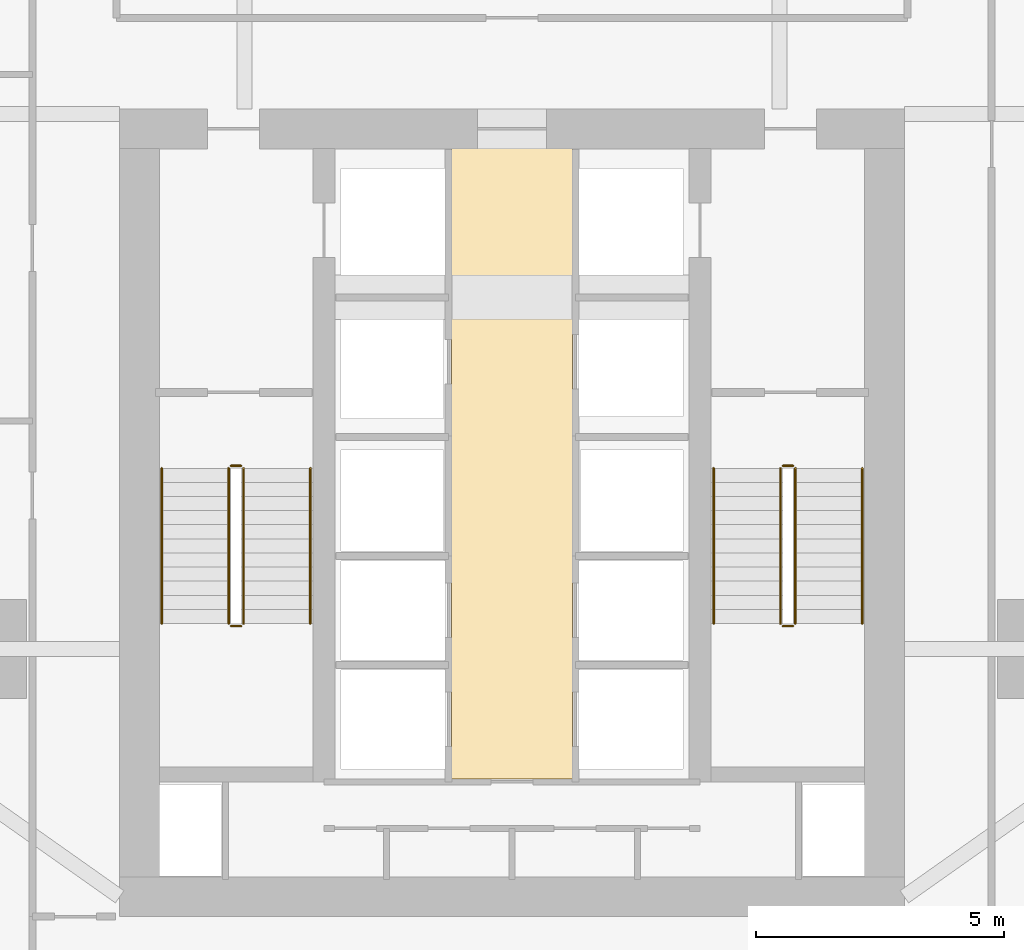
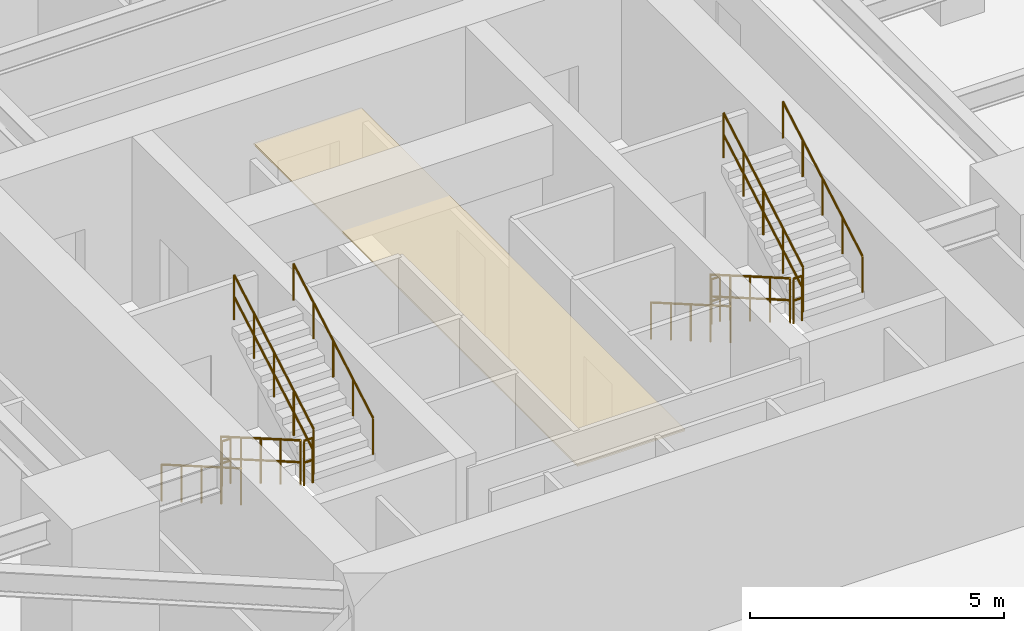
# One storey, part 25 of 26: 12 railings, 1 covering.
"""IFC4 building model written with IfcOpenShell, lengths in metres."""

from ifc_helpers import new_model, si_unit, direction, frame, origin, origin_2d, place, context, subcontext, project, spatial, polyline, circle, outline, extrude, material, layer, layer_set, type_object, element, save


model = new_model("IFC4")

# Units and contexts
model_context = context("Model", 3, precision=1e-05, world=origin(), true_north=direction((0.0, 1.0)))
body_context = subcontext(model_context, "Body", "Model", "MODEL_VIEW")
ifc_project = project(units=[si_unit("LENGTHUNIT", "METRE"), si_unit("AREAUNIT", "SQUARE_METRE"), si_unit("VOLUMEUNIT", "CUBIC_METRE"), si_unit("PLANEANGLEUNIT", "RADIAN"), si_unit("MASSUNIT", "GRAM", prefix="KILO")], contexts=[model_context])

# Site, building, storey
site_placement = place(None, origin())
site = spatial("IfcSite", under=ifc_project, at=site_placement, CompositionType="ELEMENT")
building_placement = place(site_placement, origin())
building = spatial("IfcBuilding", under=site, at=building_placement, Name="Krantzveldt Concourse Tower", CompositionType="ELEMENT")
storey_placement = place(building_placement, frame((0.0, 0.0, 90.050048828125)))
storey = spatial("IfcBuildingStorey", under=building, at=storey_placement, Name="L21", CompositionType="ELEMENT", Elevation=90.050048828125)

# Covering
ifc_material_1 = material(Name="Perforated acoustic mineral-fibre ceiling tile", Category="ceiling")
ifc_layer_1 = layer(ifc_material_1, 0.0400390625, Name="Perforated acoustic mineral-fibre ceiling tile", Category="ceiling")
ifc_layer_set_1 = layer_set([ifc_layer_1], Name="Perforated acoustic mineral-fibre ceiling tile (COV-CEIL-ACOUSTIC)")
covering_type = type_object("IfcCoveringType", Name="COV-CEIL-ACOUSTIC", PredefinedType="CEILING", material=ifc_layer_set_1)
covering_placement = place(storey_placement, frame((0.0, 0.0, 2.75)))
element("IfcCovering", 1, at=covering_placement, inside=storey, type_object=covering_type, Name="CLG-L21-LLB", PredefinedType="CEILING", context=body_context, shape_type="SweptSolid", body=[
    extrude(outline(polyline([(37.22509765625, 13.27490234375), (34.77490234375, 13.27490234375), (34.77490234375, 26.044921875), (37.22509765625, 26.044921875), (37.22509765625, 13.27490234375)])), origin(), (0.0, 0.0, 1.0), 0.0400390625),
])

# Railings
ifc_material_2 = material(Name="Stainless steel 316L", Category="steel")
ifc_layer_2 = layer(ifc_material_2, 0.06005859375, Name="Stainless steel 316L", Category="steel")
ifc_layer_set_2 = layer_set([ifc_layer_2], Name="Stainless steel 316L (RL-GUARD-1120)")
railing_type_1 = type_object("IfcRailingType", Name="RL-GUARD-1120", PredefinedType="GUARDRAIL", material=ifc_layer_set_2)
railing_1_placement = place(storey_placement, frame((30.280029296875, 19.550048828125, 0.16455078125)))
element("IfcRailing", 2, at=railing_1_placement, inside=storey, type_object=railing_type_1, Name="L21 ST-1 stair guard 1", PredefinedType="GUARDRAIL", context=body_context, shape_type="SweptSolid", body=[
    extrude(circle(Radius=0.02392578125, at=origin_2d()), frame((0.0, 0.0, 1.076171875), z_axis=(0.0, -0.865989039225, 0.500062979975), x_axis=(1.0, 0.0, 0.0)), (0.0, 0.0, 1.0), 3.6201171875),
    extrude(circle(Radius=0.02392578125, at=origin_2d()), frame((0.0, 0.0, 0.550048828125), z_axis=(0.0, -0.865989039225, 0.500062979975), x_axis=(1.0, 0.0, 0.0)), (0.0, 0.0, 1.0), 3.6201171875),
    extrude(circle(Radius=0.02099609375, at=origin_2d()), origin(), (0.0, 0.0, 1.0), 1.052001953125),
    extrude(circle(Radius=0.02099609375, at=origin_2d()), frame((0.0, -0.78369140625, 0.45263671875)), (0.0, 0.0, 1.0), 1.052001953125),
    extrude(circle(Radius=0.02099609375, at=origin_2d()), frame((0.0, -1.5673828125, 0.9052734375)), (0.0, 0.0, 1.0), 1.052001953125),
    extrude(circle(Radius=0.02099609375, at=origin_2d()), frame((0.0, -2.351318359375, 1.357666015625)), (0.0, 0.0, 1.0), 1.052001953125),
    extrude(circle(Radius=0.02099609375, at=origin_2d()), frame((0.0, -3.135009765625, 1.810302734375)), (0.0, 0.0, 1.0), 1.052001953125),
])
railing_2_placement = place(storey_placement, frame((30.330078125, 16.364990234375, 1.974853515625)))
element("IfcRailing", 3, at=railing_2_placement, inside=storey, type_object=railing_type_1, Name="L21 ST-1 stair guard 2", PredefinedType="GUARDRAIL", context=body_context, shape_type="SweptSolid", body=[
    extrude(circle(Radius=0.02392578125, at=origin_2d()), frame((0.0, 0.0, 1.076171875), z_axis=(1.0, 0.0, 0.0), x_axis=(0.0, 1.0, 0.0)), (0.0, 0.0, 1.0), 0.199951171875),
    extrude(circle(Radius=0.02392578125, at=origin_2d()), frame((0.0, 0.0, 0.550048828125), z_axis=(1.0, 0.0, 0.0), x_axis=(0.0, 1.0, 0.0)), (0.0, 0.0, 1.0), 0.199951171875),
    extrude(circle(Radius=0.02099609375, at=origin_2d()), origin(), (0.0, 0.0, 1.0), 1.052001953125),
    extrude(circle(Radius=0.02099609375, at=origin_2d()), frame((0.199951171875, 0.0, 0.0)), (0.0, 0.0, 1.0), 1.052001953125),
])
railing_3_placement = place(storey_placement, frame((30.580078125, 16.4150390625, 2.1396484375)))
element("IfcRailing", 4, at=railing_3_placement, inside=storey, type_object=railing_type_1, Name="L21 ST-1 stair guard 3", PredefinedType="GUARDRAIL", context=body_context, shape_type="SweptSolid", body=[
    extrude(circle(Radius=0.02392578125, at=origin_2d()), frame((0.0, 0.0, 1.076171875), z_axis=(0.0, 0.865989039225, 0.500062979975), x_axis=(-1.0, 0.0, 0.0)), (0.0, 0.0, 1.0), 3.6201171875),
    extrude(circle(Radius=0.02392578125, at=origin_2d()), frame((0.0, 0.0, 0.550048828125), z_axis=(0.0, 0.865989039225, 0.500062979975), x_axis=(-1.0, 0.0, 0.0)), (0.0, 0.0, 1.0), 3.6201171875),
    extrude(circle(Radius=0.02099609375, at=origin_2d()), origin(), (0.0, 0.0, 1.0), 1.052001953125),
    extrude(circle(Radius=0.02099609375, at=origin_2d()), frame((0.0, 0.78369140625, 0.45263671875)), (0.0, 0.0, 1.0), 1.052001953125),
    extrude(circle(Radius=0.02099609375, at=origin_2d()), frame((0.0, 1.5673828125, 0.9052734375)), (0.0, 0.0, 1.0), 1.052001953125),
    extrude(circle(Radius=0.02099609375, at=origin_2d()), frame((0.0, 2.351318359375, 1.357666015625)), (0.0, 0.0, 1.0), 1.052001953125),
    extrude(circle(Radius=0.02099609375, at=origin_2d()), frame((0.0, 3.135009765625, 1.810302734375)), (0.0, 0.0, 1.0), 1.052001953125),
])
railing_4_placement = place(storey_placement, frame((30.330078125, 19.60009765625, 0.0)))
element("IfcRailing", 5, at=railing_4_placement, inside=storey, type_object=railing_type_1, Name="L21 ST-1 stair guard 4", PredefinedType="GUARDRAIL", context=body_context, shape_type="SweptSolid", body=[
    extrude(circle(Radius=0.02392578125, at=origin_2d()), frame((0.0, 0.0, 1.076171875), z_axis=(1.0, 0.0, 0.0), x_axis=(0.0, 1.0, 0.0)), (0.0, 0.0, 1.0), 0.199951171875),
    extrude(circle(Radius=0.02392578125, at=origin_2d()), frame((0.0, 0.0, 0.550048828125), z_axis=(1.0, 0.0, 0.0), x_axis=(0.0, 1.0, 0.0)), (0.0, 0.0, 1.0), 0.199951171875),
    extrude(circle(Radius=0.02099609375, at=origin_2d()), origin(), (0.0, 0.0, 1.0), 1.052001953125),
    extrude(circle(Radius=0.02099609375, at=origin_2d()), frame((0.199951171875, 0.0, 0.0)), (0.0, 0.0, 1.0), 1.052001953125),
])
railing_5_placement = place(storey_placement, frame((41.419921875, 19.550048828125, 0.16455078125)))
element("IfcRailing", 6, at=railing_5_placement, inside=storey, type_object=railing_type_1, Name="L21 ST-2 stair guard 1", PredefinedType="GUARDRAIL", context=body_context, shape_type="SweptSolid", body=[
    extrude(circle(Radius=0.02392578125, at=origin_2d()), frame((0.0, 0.0, 1.076171875), z_axis=(0.0, -0.865989039225, 0.500062979975), x_axis=(1.0, 0.0, 0.0)), (0.0, 0.0, 1.0), 3.6201171875),
    extrude(circle(Radius=0.02392578125, at=origin_2d()), frame((0.0, 0.0, 0.550048828125), z_axis=(0.0, -0.865989039225, 0.500062979975), x_axis=(1.0, 0.0, 0.0)), (0.0, 0.0, 1.0), 3.6201171875),
    extrude(circle(Radius=0.02099609375, at=origin_2d()), origin(), (0.0, 0.0, 1.0), 1.052001953125),
    extrude(circle(Radius=0.02099609375, at=origin_2d()), frame((0.0, -0.78369140625, 0.45263671875)), (0.0, 0.0, 1.0), 1.052001953125),
    extrude(circle(Radius=0.02099609375, at=origin_2d()), frame((0.0, -1.5673828125, 0.9052734375)), (0.0, 0.0, 1.0), 1.052001953125),
    extrude(circle(Radius=0.02099609375, at=origin_2d()), frame((0.0, -2.351318359375, 1.357666015625)), (0.0, 0.0, 1.0), 1.052001953125),
    extrude(circle(Radius=0.02099609375, at=origin_2d()), frame((0.0, -3.135009765625, 1.810302734375)), (0.0, 0.0, 1.0), 1.052001953125),
])
railing_6_placement = place(storey_placement, frame((41.469970703125, 16.364990234375, 1.974853515625)))
element("IfcRailing", 7, at=railing_6_placement, inside=storey, type_object=railing_type_1, Name="L21 ST-2 stair guard 2", PredefinedType="GUARDRAIL", context=body_context, shape_type="SweptSolid", body=[
    extrude(circle(Radius=0.02392578125, at=origin_2d()), frame((0.0, 0.0, 1.076171875), z_axis=(1.0, 0.0, 0.0), x_axis=(0.0, 1.0, 0.0)), (0.0, 0.0, 1.0), 0.199951171875),
    extrude(circle(Radius=0.02392578125, at=origin_2d()), frame((0.0, 0.0, 0.550048828125), z_axis=(1.0, 0.0, 0.0), x_axis=(0.0, 1.0, 0.0)), (0.0, 0.0, 1.0), 0.199951171875),
    extrude(circle(Radius=0.02099609375, at=origin_2d()), origin(), (0.0, 0.0, 1.0), 1.052001953125),
    extrude(circle(Radius=0.02099609375, at=origin_2d()), frame((0.199951171875, 0.0, 0.0)), (0.0, 0.0, 1.0), 1.052001953125),
])
railing_7_placement = place(storey_placement, frame((41.719970703125, 16.4150390625, 2.1396484375)))
element("IfcRailing", 8, at=railing_7_placement, inside=storey, type_object=railing_type_1, Name="L21 ST-2 stair guard 3", PredefinedType="GUARDRAIL", context=body_context, shape_type="SweptSolid", body=[
    extrude(circle(Radius=0.02392578125, at=origin_2d()), frame((0.0, 0.0, 1.076171875), z_axis=(0.0, 0.865989039225, 0.500062979975), x_axis=(-1.0, 0.0, 0.0)), (0.0, 0.0, 1.0), 3.6201171875),
    extrude(circle(Radius=0.02392578125, at=origin_2d()), frame((0.0, 0.0, 0.550048828125), z_axis=(0.0, 0.865989039225, 0.500062979975), x_axis=(-1.0, 0.0, 0.0)), (0.0, 0.0, 1.0), 3.6201171875),
    extrude(circle(Radius=0.02099609375, at=origin_2d()), origin(), (0.0, 0.0, 1.0), 1.052001953125),
    extrude(circle(Radius=0.02099609375, at=origin_2d()), frame((0.0, 0.78369140625, 0.45263671875)), (0.0, 0.0, 1.0), 1.052001953125),
    extrude(circle(Radius=0.02099609375, at=origin_2d()), frame((0.0, 1.5673828125, 0.9052734375)), (0.0, 0.0, 1.0), 1.052001953125),
    extrude(circle(Radius=0.02099609375, at=origin_2d()), frame((0.0, 2.351318359375, 1.357666015625)), (0.0, 0.0, 1.0), 1.052001953125),
    extrude(circle(Radius=0.02099609375, at=origin_2d()), frame((0.0, 3.135009765625, 1.810302734375)), (0.0, 0.0, 1.0), 1.052001953125),
])
railing_8_placement = place(storey_placement, frame((41.469970703125, 19.60009765625, 0.0)))
element("IfcRailing", 9, at=railing_8_placement, inside=storey, type_object=railing_type_1, Name="L21 ST-2 stair guard 4", PredefinedType="GUARDRAIL", context=body_context, shape_type="SweptSolid", body=[
    extrude(circle(Radius=0.02392578125, at=origin_2d()), frame((0.0, 0.0, 1.076171875), z_axis=(1.0, 0.0, 0.0), x_axis=(0.0, 1.0, 0.0)), (0.0, 0.0, 1.0), 0.199951171875),
    extrude(circle(Radius=0.02392578125, at=origin_2d()), frame((0.0, 0.0, 0.550048828125), z_axis=(1.0, 0.0, 0.0), x_axis=(0.0, 1.0, 0.0)), (0.0, 0.0, 1.0), 0.199951171875),
    extrude(circle(Radius=0.02099609375, at=origin_2d()), origin(), (0.0, 0.0, 1.0), 1.052001953125),
    extrude(circle(Radius=0.02099609375, at=origin_2d()), frame((0.199951171875, 0.0, 0.0)), (0.0, 0.0, 1.0), 1.052001953125),
])
ifc_layer_3 = layer(ifc_material_2, 0.050048828125, Name="Stainless steel 316L", Category="steel")
ifc_layer_set_3 = layer_set([ifc_layer_3], Name="Stainless steel 316L (RL-HANDRAIL-920)")
railing_type_2 = type_object("IfcRailingType", Name="RL-HANDRAIL-920", PredefinedType="HANDRAIL", material=ifc_layer_set_3)
railing_9_placement = place(storey_placement, frame((28.929931640625, 19.550048828125, 0.16455078125)))
element("IfcRailing", 10, at=railing_9_placement, inside=storey, type_object=railing_type_2, Name="L21 ST-1 stair handrail 1", PredefinedType="HANDRAIL", context=body_context, shape_type="SweptSolid", body=[
    extrude(circle(Radius=0.02392578125, at=origin_2d()), frame((0.0, 0.0, 0.8759765625), z_axis=(0.0, -0.865989039225, 0.500062979975), x_axis=(1.0, 0.0, 0.0)), (0.0, 0.0, 1.0), 3.6201171875),
    extrude(circle(Radius=0.02099609375, at=origin_2d()), origin(), (0.0, 0.0, 1.0), 0.851806640625),
    extrude(circle(Radius=0.02099609375, at=origin_2d()), frame((0.0, -0.78369140625, 0.45263671875)), (0.0, 0.0, 1.0), 0.851806640625),
    extrude(circle(Radius=0.02099609375, at=origin_2d()), frame((0.0, -1.5673828125, 0.9052734375)), (0.0, 0.0, 1.0), 0.851806640625),
    extrude(circle(Radius=0.02099609375, at=origin_2d()), frame((0.0, -2.351318359375, 1.357666015625)), (0.0, 0.0, 1.0), 0.851806640625),
    extrude(circle(Radius=0.02099609375, at=origin_2d()), frame((0.0, -3.135009765625, 1.810302734375)), (0.0, 0.0, 1.0), 0.851806640625),
])
railing_10_placement = place(storey_placement, frame((31.929931640625, 16.4150390625, 2.1396484375)))
element("IfcRailing", 11, at=railing_10_placement, inside=storey, type_object=railing_type_2, Name="L21 ST-1 stair handrail 2", PredefinedType="HANDRAIL", context=body_context, shape_type="SweptSolid", body=[
    extrude(circle(Radius=0.02392578125, at=origin_2d()), frame((0.0, 0.0, 0.8759765625), z_axis=(0.0, 0.865989039225, 0.500062979975), x_axis=(-1.0, 0.0, 0.0)), (0.0, 0.0, 1.0), 3.6201171875),
    extrude(circle(Radius=0.02099609375, at=origin_2d()), origin(), (0.0, 0.0, 1.0), 0.851806640625),
    extrude(circle(Radius=0.02099609375, at=origin_2d()), frame((0.0, 0.78369140625, 0.45263671875)), (0.0, 0.0, 1.0), 0.851806640625),
    extrude(circle(Radius=0.02099609375, at=origin_2d()), frame((0.0, 1.5673828125, 0.9052734375)), (0.0, 0.0, 1.0), 0.851806640625),
    extrude(circle(Radius=0.02099609375, at=origin_2d()), frame((0.0, 2.351318359375, 1.357666015625)), (0.0, 0.0, 1.0), 0.851806640625),
    extrude(circle(Radius=0.02099609375, at=origin_2d()), frame((0.0, 3.135009765625, 1.810302734375)), (0.0, 0.0, 1.0), 0.851806640625),
])
railing_11_placement = place(storey_placement, frame((40.070068359375, 19.550048828125, 0.16455078125)))
element("IfcRailing", 12, at=railing_11_placement, inside=storey, type_object=railing_type_2, Name="L21 ST-2 stair handrail 1", PredefinedType="HANDRAIL", context=body_context, shape_type="SweptSolid", body=[
    extrude(circle(Radius=0.02392578125, at=origin_2d()), frame((0.0, 0.0, 0.8759765625), z_axis=(0.0, -0.865989039225, 0.500062979975), x_axis=(1.0, 0.0, 0.0)), (0.0, 0.0, 1.0), 3.6201171875),
    extrude(circle(Radius=0.02099609375, at=origin_2d()), origin(), (0.0, 0.0, 1.0), 0.851806640625),
    extrude(circle(Radius=0.02099609375, at=origin_2d()), frame((0.0, -0.78369140625, 0.45263671875)), (0.0, 0.0, 1.0), 0.851806640625),
    extrude(circle(Radius=0.02099609375, at=origin_2d()), frame((0.0, -1.5673828125, 0.9052734375)), (0.0, 0.0, 1.0), 0.851806640625),
    extrude(circle(Radius=0.02099609375, at=origin_2d()), frame((0.0, -2.351318359375, 1.357666015625)), (0.0, 0.0, 1.0), 0.851806640625),
    extrude(circle(Radius=0.02099609375, at=origin_2d()), frame((0.0, -3.135009765625, 1.810302734375)), (0.0, 0.0, 1.0), 0.851806640625),
])
railing_12_placement = place(storey_placement, frame((43.070068359375, 16.4150390625, 2.1396484375)))
element("IfcRailing", 13, at=railing_12_placement, inside=storey, type_object=railing_type_2, Name="L21 ST-2 stair handrail 2", PredefinedType="HANDRAIL", context=body_context, shape_type="SweptSolid", body=[
    extrude(circle(Radius=0.02392578125, at=origin_2d()), frame((0.0, 0.0, 0.8759765625), z_axis=(0.0, 0.865989039225, 0.500062979975), x_axis=(-1.0, 0.0, 0.0)), (0.0, 0.0, 1.0), 3.6201171875),
    extrude(circle(Radius=0.02099609375, at=origin_2d()), origin(), (0.0, 0.0, 1.0), 0.851806640625),
    extrude(circle(Radius=0.02099609375, at=origin_2d()), frame((0.0, 0.78369140625, 0.45263671875)), (0.0, 0.0, 1.0), 0.851806640625),
    extrude(circle(Radius=0.02099609375, at=origin_2d()), frame((0.0, 1.5673828125, 0.9052734375)), (0.0, 0.0, 1.0), 0.851806640625),
    extrude(circle(Radius=0.02099609375, at=origin_2d()), frame((0.0, 2.351318359375, 1.357666015625)), (0.0, 0.0, 1.0), 0.851806640625),
    extrude(circle(Radius=0.02099609375, at=origin_2d()), frame((0.0, 3.135009765625, 1.810302734375)), (0.0, 0.0, 1.0), 0.851806640625),
])

save(model, "model.ifc")
